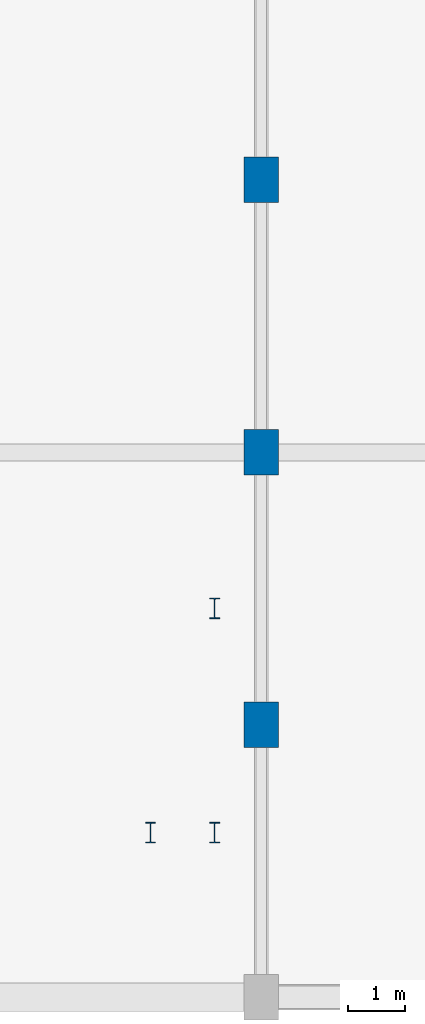
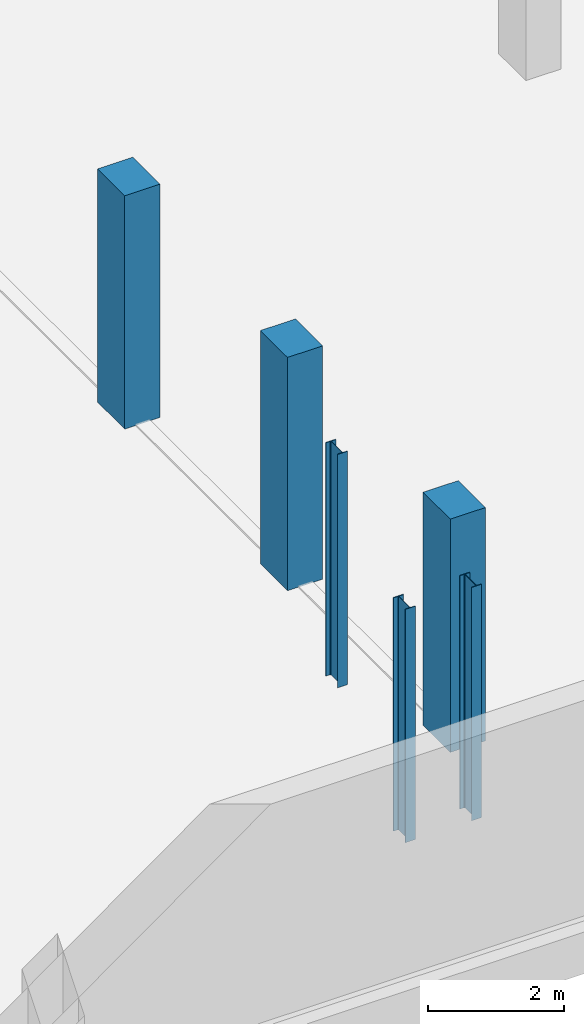
# One storey, part 2 of 47: 6 columns.
"""IFC4 building model written with IfcOpenShell, lengths in metres."""

from ifc_helpers import new_model, si_unit, direction, frame, origin, origin_2d, place, context, subcontext, project, spatial, rectangle, i_section, extrude, material, material_profile, profile_set, type_object, element, save


model = new_model("IFC4")

# Units and contexts
model_context = context("Model", 3, precision=1e-05, world=origin(), true_north=direction((0.0, 1.0)))
body_context = subcontext(model_context, "Body", "Model", "MODEL_VIEW")
ifc_project = project(units=[si_unit("LENGTHUNIT", "METRE"), si_unit("AREAUNIT", "SQUARE_METRE"), si_unit("VOLUMEUNIT", "CUBIC_METRE"), si_unit("PLANEANGLEUNIT", "RADIAN"), si_unit("MASSUNIT", "GRAM", prefix="KILO")], contexts=[model_context])

# Site, building, storey
site_placement = place(None, origin())
site = spatial("IfcSite", under=ifc_project, at=site_placement, CompositionType="ELEMENT")
building_placement = place(site_placement, origin())
building = spatial("IfcBuilding", under=site, at=building_placement, Name="Zevrakil Square Congress Hotel", CompositionType="ELEMENT")
storey_placement = place(building_placement, frame((0.0, 0.0, -4.199951171875)))
storey = spatial("IfcBuildingStorey", under=building, at=storey_placement, Name="B1", CompositionType="ELEMENT", Elevation=-4.199951171875)

# Columns
ifc_material_1 = material(Name="Steel S355", Category="steel")
ifc_material_profile_1 = material_profile(ifc_material_1, i_section(OverallWidth=0.169921875, OverallDepth=0.360107421875, WebThickness=0.008056640625, FlangeThickness=0.0126953125, FilletRadius=0.01806640625, at=origin_2d()), Name="IPE 360")
ifc_profile_set_1 = profile_set([ifc_material_profile_1], Name="Steel S355")
column_type_1 = type_object("IfcColumnType", Name="COL-PILASTER-SHS180", PredefinedType="PILASTER", material=ifc_profile_set_1)
for number, where, z_axis, x_axis, name in (
    (1, (53.25, 10.10009765625, 0.0), (0.0, 0.0, 1.0), (1.0, 0.0, 0.0), "B1 ST12 stair shaft post 1"),
    (2, (54.3798828125, 10.10009765625, 0.0), (0.0, 0.0, 1.0), (1.0, 0.0, 0.0), "B1 ST12 stair shaft post 2"),
    (3, (54.3798828125, 14.050048828125, 0.0), (0.0, 0.0, 1.0), (1.0, 0.0, 0.0), "B1 ST12 stair shaft post 3"),
):
    element("IfcColumn", number, at=place(storey_placement, frame(where, z_axis=z_axis, x_axis=x_axis)), inside=storey, type_object=column_type_1, Name=name, PredefinedType="PILASTER", context=body_context, shape_type="SweptSolid", body=[
        extrude(i_section(OverallWidth=0.169921875, OverallDepth=0.360107421875, WebThickness=0.008056640625, FlangeThickness=0.0126953125, FilletRadius=0.01806640625, at=origin_2d()), origin(), (0.0, 0.0, 1.0), 4.199951171875),
    ])
ifc_material_2 = material(Name="Concrete C40/50", Category="concrete")
ifc_material_profile_2 = material_profile(ifc_material_2, rectangle(XDim=0.60009765625, YDim=0.800048828125, at=origin_2d()), Name="RC 600x800")
ifc_profile_set_2 = profile_set([ifc_material_profile_2], Name="Concrete C40/50")
column_type_2 = type_object("IfcColumnType", Name="COL-RC600x800", PredefinedType="COLUMN", material=ifc_profile_set_2)
for number, where, z_axis, x_axis, name in (
    (4, (55.199951171875, 12.0, 0.0), (0.0, 0.0, 1.0), (1.0, 0.0, 0.0), "B1 column C-083"),
    (5, (55.199951171875, 16.800048828125, 0.0), (0.0, 0.0, 1.0), (1.0, 0.0, 0.0), "B1 column C-084"),
    (6, (55.199951171875, 21.60009765625, 0.0), (0.0, 0.0, 1.0), (1.0, 0.0, 0.0), "B1 column C-085"),
):
    element("IfcColumn", number, at=place(storey_placement, frame(where, z_axis=z_axis, x_axis=x_axis)), inside=storey, type_object=column_type_2, Name=name, PredefinedType="COLUMN", context=body_context, shape_type="SweptSolid", body=[
        extrude(rectangle(XDim=0.60009765625, YDim=0.800048828125, at=origin_2d()), origin(), (0.0, 0.0, 1.0), 4.199951171875),
    ])

save(model, "model.ifc")
